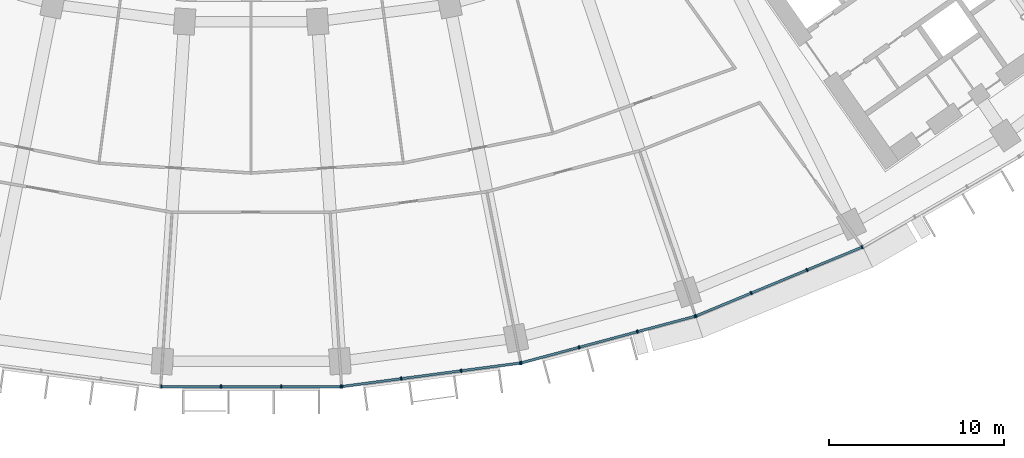
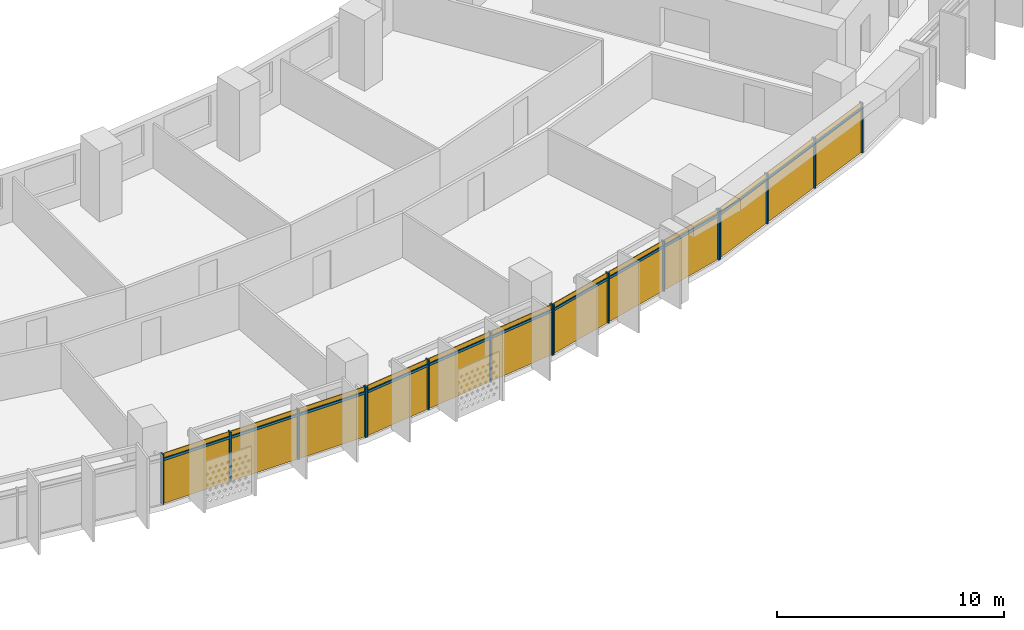
# One storey, part 20 of 28: 28 members, 4 curtain walls.
"""IFC4 building model written with IfcOpenShell, lengths in metres."""

from ifc_helpers import new_model, si_unit, direction, frame, origin, origin_2d, place, context, subcontext, project, spatial, rectangle, extrude, material, material_profile, profile_set, type_object, element, aggregate, save


model = new_model("IFC4")

# Units and contexts
model_context = context("Model", 3, precision=1e-05, world=origin(), true_north=direction((0.0, 1.0)))
body_context = subcontext(model_context, "Body", "Model", "MODEL_VIEW")
ifc_project = project(units=[si_unit("LENGTHUNIT", "METRE"), si_unit("AREAUNIT", "SQUARE_METRE"), si_unit("VOLUMEUNIT", "CUBIC_METRE"), si_unit("PLANEANGLEUNIT", "RADIAN"), si_unit("MASSUNIT", "GRAM", prefix="KILO")], contexts=[model_context])

# Member
ifc_material = material(Name="Aluminium 6063-T6 anodised", Category="aluminium")
ifc_material_profile_1 = material_profile(ifc_material, rectangle(XDim=0.199951171875, YDim=0.070068359375, at=origin_2d()))
ifc_profile_set_1 = profile_set([ifc_material_profile_1], Name="Aluminium 6063-T6 anodised")
member_type_1 = type_object("IfcMemberType", Name="Mullion 70 x 200 aluminium", PredefinedType="MULLION", material=ifc_profile_set_1)
site_placement = place(None, origin())
building_placement = place(site_placement, origin())
storey_placement = place(building_placement, frame((0.0, 0.0, 140.5)))
member_1_placement = place(storey_placement, frame((-5.1513671875, -79.0302734375, 0.0), z_axis=(0.0, 0.0, 1.0), x_axis=(0.0, 1.0, 0.0)))
member_1 = element("IfcMember", 1, at=member_1_placement, type_object=member_type_1, Name="e-cw1-L32-out09/M00", PredefinedType="MULLION", context=body_context, shape_type="SweptSolid", body=[
    extrude(rectangle(XDim=0.199951171875, YDim=0.070068359375, at=origin_2d()), origin(), (0.0, 0.0, 1.0), 2.699951171875),
])

member_2_placement = place(storey_placement, frame((-1.728759765625, -79.0302734375, 0.0), z_axis=(0.0, 0.0, 1.0), x_axis=(0.0, 1.0, 0.0)))
member_2 = element("IfcMember", 2, at=member_2_placement, type_object=member_type_1, Name="e-cw1-L32-out09/M01", PredefinedType="MULLION", context=body_context, shape_type="SweptSolid", body=[
    extrude(rectangle(XDim=0.199951171875, YDim=0.070068359375, at=origin_2d()), origin(), (0.0, 0.0, 1.0), 2.699951171875),
])

member_3_placement = place(storey_placement, frame((1.728759765625, -79.0302734375, 0.0), z_axis=(0.0, 0.0, 1.0), x_axis=(0.0, 1.0, 0.0)))
member_3 = element("IfcMember", 3, at=member_3_placement, type_object=member_type_1, Name="e-cw1-L32-out09/M02", PredefinedType="MULLION", context=body_context, shape_type="SweptSolid", body=[
    extrude(rectangle(XDim=0.199951171875, YDim=0.070068359375, at=origin_2d()), origin(), (0.0, 0.0, 1.0), 2.699951171875),
])

member_4_placement = place(storey_placement, frame((5.1513671875, -79.0302734375, 0.0), z_axis=(0.0, 0.0, 1.0), x_axis=(0.0, 1.0, 0.0)))
member_4 = element("IfcMember", 4, at=member_4_placement, type_object=member_type_1, Name="e-cw1-L32-out09/M03", PredefinedType="MULLION", context=body_context, shape_type="SweptSolid", body=[
    extrude(rectangle(XDim=0.199951171875, YDim=0.070068359375, at=origin_2d()), origin(), (0.0, 0.0, 1.0), 2.699951171875),
])

member_5_placement = place(storey_placement, frame((5.2080078125, -79.026611328125, 0.0), z_axis=(0.0, 0.0, 1.0), x_axis=(-0.13052619222, 0.991444861374, 0.0)))
member_5 = element("IfcMember", 5, at=member_5_placement, type_object=member_type_1, Name="e-cw1-L32-out10/M00", PredefinedType="MULLION", context=body_context, shape_type="SweptSolid", body=[
    extrude(rectangle(XDim=0.199951171875, YDim=0.070068359375, at=origin_2d()), origin(), (0.0, 0.0, 1.0), 2.699951171875),
])

member_6_placement = place(storey_placement, frame((8.6015625, -78.579833984375, 0.0), z_axis=(0.0, 0.0, 1.0), x_axis=(-0.13052619222, 0.991444861374, 0.0)))
member_6 = element("IfcMember", 6, at=member_6_placement, type_object=member_type_1, Name="e-cw1-L32-out10/M01", PredefinedType="MULLION", context=body_context, shape_type="SweptSolid", body=[
    extrude(rectangle(XDim=0.199951171875, YDim=0.070068359375, at=origin_2d()), origin(), (0.0, 0.0, 1.0), 2.699951171875),
])

member_7_placement = place(storey_placement, frame((12.029541015625, -78.12841796875, 0.0), z_axis=(0.0, 0.0, 1.0), x_axis=(-0.13052619222, 0.991444861374, 0.0)))
member_7 = element("IfcMember", 7, at=member_7_placement, type_object=member_type_1, Name="e-cw1-L32-out10/M02", PredefinedType="MULLION", context=body_context, shape_type="SweptSolid", body=[
    extrude(rectangle(XDim=0.199951171875, YDim=0.070068359375, at=origin_2d()), origin(), (0.0, 0.0, 1.0), 2.699951171875),
])

member_8_placement = place(storey_placement, frame((15.4228515625, -77.681640625, 0.0), z_axis=(0.0, 0.0, 1.0), x_axis=(-0.13052619222, 0.991444861374, 0.0)))
member_8 = element("IfcMember", 8, at=member_8_placement, type_object=member_type_1, Name="e-cw1-L32-out10/M03", PredefinedType="MULLION", context=body_context, shape_type="SweptSolid", body=[
    extrude(rectangle(XDim=0.199951171875, YDim=0.070068359375, at=origin_2d()), origin(), (0.0, 0.0, 1.0), 2.699951171875),
])

member_9_placement = place(storey_placement, frame((15.478515625, -77.670654296875, 0.0), z_axis=(0.0, 0.0, 1.0), x_axis=(-0.258819045103, 0.965925826289, 0.0)))
member_9 = element("IfcMember", 9, at=member_9_placement, type_object=member_type_1, Name="e-cw1-L32-out11/M00", PredefinedType="MULLION", context=body_context, shape_type="SweptSolid", body=[
    extrude(rectangle(XDim=0.199951171875, YDim=0.070068359375, at=origin_2d()), origin(), (0.0, 0.0, 1.0), 2.699951171875),
])

member_10_placement = place(storey_placement, frame((18.78466796875, -76.78466796875, 0.0), z_axis=(0.0, 0.0, 1.0), x_axis=(-0.258819045103, 0.965925826289, 0.0)))
member_10 = element("IfcMember", 10, at=member_10_placement, type_object=member_type_1, Name="e-cw1-L32-out11/M01", PredefinedType="MULLION", context=body_context, shape_type="SweptSolid", body=[
    extrude(rectangle(XDim=0.199951171875, YDim=0.070068359375, at=origin_2d()), origin(), (0.0, 0.0, 1.0), 2.699951171875),
])

member_11_placement = place(storey_placement, frame((22.12451171875, -75.889892578125, 0.0), z_axis=(0.0, 0.0, 1.0), x_axis=(-0.258819045103, 0.965925826289, 0.0)))
member_11 = element("IfcMember", 11, at=member_11_placement, type_object=member_type_1, Name="e-cw1-L32-out11/M02", PredefinedType="MULLION", context=body_context, shape_type="SweptSolid", body=[
    extrude(rectangle(XDim=0.199951171875, YDim=0.070068359375, at=origin_2d()), origin(), (0.0, 0.0, 1.0), 2.699951171875),
])

member_12_placement = place(storey_placement, frame((25.430419921875, -75.00390625, 0.0), z_axis=(0.0, 0.0, 1.0), x_axis=(-0.258819045103, 0.965925826289, 0.0)))
member_12 = element("IfcMember", 12, at=member_12_placement, type_object=member_type_1, Name="e-cw1-L32-out11/M03", PredefinedType="MULLION", context=body_context, shape_type="SweptSolid", body=[
    extrude(rectangle(XDim=0.199951171875, YDim=0.070068359375, at=origin_2d()), origin(), (0.0, 0.0, 1.0), 2.699951171875),
])

member_13_placement = place(storey_placement, frame((25.484130859375, -74.98583984375, 0.0), z_axis=(0.0, 0.0, 1.0), x_axis=(-0.382683432365, 0.923879532511, 0.0)))
member_13 = element("IfcMember", 13, at=member_13_placement, type_object=member_type_1, Name="e-cw1-L32-out12/M00", PredefinedType="MULLION", context=body_context, shape_type="SweptSolid", body=[
    extrude(rectangle(XDim=0.199951171875, YDim=0.070068359375, at=origin_2d()), origin(), (0.0, 0.0, 1.0), 2.699951171875),
])

member_14_placement = place(storey_placement, frame((28.646240234375, -73.676025390625, 0.0), z_axis=(0.0, 0.0, 1.0), x_axis=(-0.382683432365, 0.923879532511, 0.0)))
member_14 = element("IfcMember", 14, at=member_14_placement, type_object=member_type_1, Name="e-cw1-L32-out12/M01", PredefinedType="MULLION", context=body_context, shape_type="SweptSolid", body=[
    extrude(rectangle(XDim=0.199951171875, YDim=0.070068359375, at=origin_2d()), origin(), (0.0, 0.0, 1.0), 2.699951171875),
])

member_15_placement = place(storey_placement, frame((31.8408203125, -72.352783203125, 0.0), z_axis=(0.0, 0.0, 1.0), x_axis=(-0.382683432365, 0.923879532511, 0.0)))
member_15 = element("IfcMember", 15, at=member_15_placement, type_object=member_type_1, Name="e-cw1-L32-out12/M02", PredefinedType="MULLION", context=body_context, shape_type="SweptSolid", body=[
    extrude(rectangle(XDim=0.199951171875, YDim=0.070068359375, at=origin_2d()), origin(), (0.0, 0.0, 1.0), 2.699951171875),
])

member_16_placement = place(storey_placement, frame((35.0029296875, -71.04296875, 0.0), z_axis=(0.0, 0.0, 1.0), x_axis=(-0.382683432365, 0.923879532511, 0.0)))
member_16 = element("IfcMember", 16, at=member_16_placement, type_object=member_type_1, Name="e-cw1-L32-out12/M03", PredefinedType="MULLION", context=body_context, shape_type="SweptSolid", body=[
    extrude(rectangle(XDim=0.199951171875, YDim=0.070068359375, at=origin_2d()), origin(), (0.0, 0.0, 1.0), 2.699951171875),
])

ifc_material_profile_2 = material_profile(ifc_material, rectangle(XDim=0.139892578125, YDim=0.1201171875, at=origin_2d()))
ifc_profile_set_2 = profile_set([ifc_material_profile_2], Name="Aluminium 6063-T6 anodised")
member_type_2 = type_object("IfcMemberType", Name="Transom 120 x 140 aluminium", PredefinedType="USERDEFINED", material=ifc_profile_set_2)
member_17_placement = place(storey_placement, frame((-5.116455078125, -79.0302734375, 2.39990234375), z_axis=(1.0, 0.0, 0.0), x_axis=(0.0, 1.0, 0.0)))
member_17 = element("IfcMember", 17, at=member_17_placement, type_object=member_type_2, Name="e-cw1-L32-out09/T00", ObjectType="TRANSOM", PredefinedType="USERDEFINED", context=body_context, shape_type="SweptSolid", body=[
    extrude(rectangle(XDim=0.139892578125, YDim=0.1201171875, at=origin_2d()), origin(), (0.0, 0.0, 1.0), 3.3525390625),
])

member_18_placement = place(storey_placement, frame((-1.69384765625, -79.0302734375, 2.39990234375), z_axis=(1.0, 0.0, 0.0), x_axis=(0.0, 1.0, 0.0)))
member_18 = element("IfcMember", 18, at=member_18_placement, type_object=member_type_2, Name="e-cw1-L32-out09/T01", ObjectType="TRANSOM", PredefinedType="USERDEFINED", context=body_context, shape_type="SweptSolid", body=[
    extrude(rectangle(XDim=0.139892578125, YDim=0.1201171875, at=origin_2d()), origin(), (0.0, 0.0, 1.0), 3.3876953125),
])

member_19_placement = place(storey_placement, frame((1.763916015625, -79.0302734375, 2.39990234375), z_axis=(1.0, 0.0, 0.0), x_axis=(0.0, 1.0, 0.0)))
member_19 = element("IfcMember", 19, at=member_19_placement, type_object=member_type_2, Name="e-cw1-L32-out09/T02", ObjectType="TRANSOM", PredefinedType="USERDEFINED", context=body_context, shape_type="SweptSolid", body=[
    extrude(rectangle(XDim=0.139892578125, YDim=0.1201171875, at=origin_2d()), origin(), (0.0, 0.0, 1.0), 3.3525390625),
])

member_20_placement = place(storey_placement, frame((5.242919921875, -79.02197265625, 2.39990234375), z_axis=(0.991439665896, 0.130565649721, 0.0), x_axis=(-0.130565649721, 0.991439665896, 0.0)))
member_20 = element("IfcMember", 20, at=member_20_placement, type_object=member_type_2, Name="e-cw1-L32-out10/T00", ObjectType="TRANSOM", PredefinedType="USERDEFINED", context=body_context, shape_type="SweptSolid", body=[
    extrude(rectangle(XDim=0.139892578125, YDim=0.1201171875, at=origin_2d()), origin(), (0.0, 0.0, 1.0), 3.352783203125),
])

member_21_placement = place(storey_placement, frame((8.63623046875, -78.5751953125, 2.39990234375), z_axis=(0.991446198807, 0.130516033004, 0.0), x_axis=(-0.130516033004, 0.991446198807, 0.0)))
member_21 = element("IfcMember", 21, at=member_21_placement, type_object=member_type_2, Name="e-cw1-L32-out10/T01", ObjectType="TRANSOM", PredefinedType="USERDEFINED", context=body_context, shape_type="SweptSolid", body=[
    extrude(rectangle(XDim=0.139892578125, YDim=0.1201171875, at=origin_2d()), origin(), (0.0, 0.0, 1.0), 3.3876953125),
])

member_22_placement = place(storey_placement, frame((12.064208984375, -78.123779296875, 2.39990234375), z_axis=(0.991449089759, 0.130494070426, 0.0), x_axis=(-0.130494070426, 0.991449089759, 0.0)))
member_22 = element("IfcMember", 22, at=member_22_placement, type_object=member_type_2, Name="e-cw1-L32-out10/T02", ObjectType="TRANSOM", PredefinedType="USERDEFINED", context=body_context, shape_type="SweptSolid", body=[
    extrude(rectangle(XDim=0.139892578125, YDim=0.1201171875, at=origin_2d()), origin(), (0.0, 0.0, 1.0), 3.3525390625),
])

member_23_placement = place(storey_placement, frame((15.512451171875, -77.66162109375, 2.39990234375), z_axis=(0.965927247937, 0.258813739382, 0.0), x_axis=(-0.258813739382, 0.965927247937, 0.0)))
member_23 = element("IfcMember", 23, at=member_23_placement, type_object=member_type_2, Name="e-cw1-L32-out11/T00", ObjectType="TRANSOM", PredefinedType="USERDEFINED", context=body_context, shape_type="SweptSolid", body=[
    extrude(rectangle(XDim=0.139892578125, YDim=0.1201171875, at=origin_2d()), origin(), (0.0, 0.0, 1.0), 3.3525390625),
])

member_24_placement = place(storey_placement, frame((18.818359375, -76.775634765625, 2.39990234375), z_axis=(0.965931646033, 0.258797324547, 0.0), x_axis=(-0.258797324547, 0.965931646033, 0.0)))
member_24 = element("IfcMember", 24, at=member_24_placement, type_object=member_type_2, Name="e-cw1-L32-out11/T01", ObjectType="TRANSOM", PredefinedType="USERDEFINED", context=body_context, shape_type="SweptSolid", body=[
    extrude(rectangle(XDim=0.139892578125, YDim=0.1201171875, at=origin_2d()), origin(), (0.0, 0.0, 1.0), 3.3876953125),
])

member_25_placement = place(storey_placement, frame((22.158203125, -75.880859375, 2.39990234375), z_axis=(0.965932125453, 0.258795535157, 0.0), x_axis=(-0.258795535157, 0.965932125453, 0.0)))
member_25 = element("IfcMember", 25, at=member_25_placement, type_object=member_type_2, Name="e-cw1-L32-out11/T02", ObjectType="TRANSOM", PredefinedType="USERDEFINED", context=body_context, shape_type="SweptSolid", body=[
    extrude(rectangle(XDim=0.139892578125, YDim=0.1201171875, at=origin_2d()), origin(), (0.0, 0.0, 1.0), 3.352783203125),
])

member_26_placement = place(storey_placement, frame((25.5166015625, -74.972412109375, 2.39990234375), z_axis=(0.923882814237, 0.382675509483, 0.0), x_axis=(-0.382675509483, 0.923882814237, 0.0)))
member_26 = element("IfcMember", 26, at=member_26_placement, type_object=member_type_2, Name="e-cw1-L32-out12/T00", ObjectType="TRANSOM", PredefinedType="USERDEFINED", context=body_context, shape_type="SweptSolid", body=[
    extrude(rectangle(XDim=0.139892578125, YDim=0.1201171875, at=origin_2d()), origin(), (0.0, 0.0, 1.0), 3.3525390625),
])

member_27_placement = place(storey_placement, frame((28.6787109375, -73.66259765625, 2.39990234375), z_axis=(0.923874529423, 0.382695510666, 0.0), x_axis=(-0.382695510666, 0.923874529423, 0.0)))
member_27 = element("IfcMember", 27, at=member_27_placement, type_object=member_type_2, Name="e-cw1-L32-out12/T01", ObjectType="TRANSOM", PredefinedType="USERDEFINED", context=body_context, shape_type="SweptSolid", body=[
    extrude(rectangle(XDim=0.139892578125, YDim=0.1201171875, at=origin_2d()), origin(), (0.0, 0.0, 1.0), 3.387451171875),
])

member_28_placement = place(storey_placement, frame((31.873046875, -72.33935546875, 2.39990234375), z_axis=(0.923882814237, 0.382675509483, 0.0), x_axis=(-0.382675509483, 0.923882814237, 0.0)))
member_28 = element("IfcMember", 28, at=member_28_placement, type_object=member_type_2, Name="e-cw1-L32-out12/T02", ObjectType="TRANSOM", PredefinedType="USERDEFINED", context=body_context, shape_type="SweptSolid", body=[
    extrude(rectangle(XDim=0.139892578125, YDim=0.1201171875, at=origin_2d()), origin(), (0.0, 0.0, 1.0), 3.3525390625),
])

# Site, building, storey
site = spatial("IfcSite", under=ifc_project, at=site_placement, CompositionType="ELEMENT")
building = spatial("IfcBuilding", under=site, at=building_placement, Name="Qamariyya Broadcast Tower", CompositionType="ELEMENT")
storey = spatial("IfcBuildingStorey", under=building, at=storey_placement, Name="L32", CompositionType="ELEMENT", Elevation=140.5)

# Curtain wall
curtain_wall_type = type_object("IfcCurtainWallType", Name="Unitised curtain wall, anodised aluminium", PredefinedType="NOTDEFINED", material=ifc_material)
curtain_wall_1_placement = place(storey_placement, origin())
curtain_wall_1 = element("IfcCurtainWall", 29, at=curtain_wall_1_placement, inside=storey, type_object=curtain_wall_type, Name="e-cw1-L32-out09", PredefinedType="NOTDEFINED", context=body_context, shape_type="SweptSolid", body=[
    extrude(rectangle(XDim=3.352783203125, YDim=0.031982421875, at=origin_2d()), frame((-3.440185546875, -79.0302734375, 0.0), x_axis=(1.0, 0.0, 0.0)), (0.0, 0.0, 1.0), 2.340087890625),
    extrude(rectangle(XDim=3.352783203125, YDim=0.031982421875, at=origin_2d()), frame((-3.440185546875, -79.0302734375, 2.4599609375), x_axis=(1.0, 0.0, 0.0)), (0.0, 0.0, 1.0), 0.239990234375),
    extrude(rectangle(XDim=3.3876953125, YDim=0.031982421875, at=origin_2d()), frame((0.0, -79.0302734375, 0.0), x_axis=(1.0, 0.0, 0.0)), (0.0, 0.0, 1.0), 2.340087890625),
    extrude(rectangle(XDim=3.3876953125, YDim=0.031982421875, at=origin_2d()), frame((0.0, -79.0302734375, 2.4599609375), x_axis=(1.0, 0.0, 0.0)), (0.0, 0.0, 1.0), 0.239990234375),
    extrude(rectangle(XDim=3.352783203125, YDim=0.031982421875, at=origin_2d()), frame((3.440185546875, -79.0302734375, 0.0), x_axis=(1.0, 0.0, 0.0)), (0.0, 0.0, 1.0), 2.340087890625),
    extrude(rectangle(XDim=3.352783203125, YDim=0.031982421875, at=origin_2d()), frame((3.440185546875, -79.0302734375, 2.4599609375), x_axis=(1.0, 0.0, 0.0)), (0.0, 0.0, 1.0), 0.239990234375),
])

aggregate(curtain_wall_1, [member_1, member_2, member_3, member_4, member_17, member_18, member_19])

curtain_wall_2_placement = place(storey_placement, origin())
curtain_wall_2 = element("IfcCurtainWall", 30, at=curtain_wall_2_placement, inside=storey, type_object=curtain_wall_type, Name="e-cw1-L32-out10", PredefinedType="NOTDEFINED", context=body_context, shape_type="SweptSolid", body=[
    extrude(rectangle(XDim=3.3525390625, YDim=0.031982421875, at=origin_2d()), frame((6.90478515625, -78.802978515625, 0.0), x_axis=(0.991447084105, 0.13050930779, 0.0)), (0.0, 0.0, 1.0), 2.340087890625),
    extrude(rectangle(XDim=3.3525390625, YDim=0.031982421875, at=origin_2d()), frame((6.90478515625, -78.802978515625, 2.4599609375), x_axis=(0.991447084105, 0.13050930779, 0.0)), (0.0, 0.0, 1.0), 0.239990234375),
    extrude(rectangle(XDim=3.3876953125, YDim=0.031982421875, at=origin_2d()), frame((10.3154296875, -78.35400390625, 0.0), x_axis=(0.991447084105, 0.13050930779, 0.0)), (0.0, 0.0, 1.0), 2.340087890625),
    extrude(rectangle(XDim=3.3876953125, YDim=0.031982421875, at=origin_2d()), frame((10.3154296875, -78.35400390625, 2.4599609375), x_axis=(0.991447084105, 0.13050930779, 0.0)), (0.0, 0.0, 1.0), 0.239990234375),
    extrude(rectangle(XDim=3.3525390625, YDim=0.031982421875, at=origin_2d()), frame((13.72607421875, -77.9052734375, 0.0), x_axis=(0.991447084105, 0.13050930779, 0.0)), (0.0, 0.0, 1.0), 2.340087890625),
    extrude(rectangle(XDim=3.3525390625, YDim=0.031982421875, at=origin_2d()), frame((13.72607421875, -77.9052734375, 2.4599609375), x_axis=(0.991447084105, 0.13050930779, 0.0)), (0.0, 0.0, 1.0), 0.239990234375),
])

aggregate(curtain_wall_2, [member_5, member_6, member_7, member_8, member_20, member_21, member_22])

curtain_wall_3_placement = place(storey_placement, origin())
curtain_wall_3 = element("IfcCurtainWall", 31, at=curtain_wall_3_placement, inside=storey, type_object=curtain_wall_type, Name="e-cw1-L32-out11", PredefinedType="NOTDEFINED", context=body_context, shape_type="SweptSolid", body=[
    extrude(rectangle(XDim=3.352783203125, YDim=0.031982421875, at=origin_2d()), frame((17.131591796875, -77.227783203125, 0.0), x_axis=(0.965923677743, 0.258827063454, 0.0)), (0.0, 0.0, 1.0), 2.340087890625),
    extrude(rectangle(XDim=3.352783203125, YDim=0.031982421875, at=origin_2d()), frame((17.131591796875, -77.227783203125, 2.4599609375), x_axis=(0.965923677743, 0.258827063454, 0.0)), (0.0, 0.0, 1.0), 0.239990234375),
    extrude(rectangle(XDim=3.3876953125, YDim=0.031982421875, at=origin_2d()), frame((20.45458984375, -76.33740234375, 0.0), x_axis=(0.965923677743, 0.258827063454, 0.0)), (0.0, 0.0, 1.0), 2.340087890625),
    extrude(rectangle(XDim=3.3876953125, YDim=0.031982421875, at=origin_2d()), frame((20.45458984375, -76.33740234375, 2.4599609375), x_axis=(0.965923677743, 0.258827063454, 0.0)), (0.0, 0.0, 1.0), 0.239990234375),
    extrude(rectangle(XDim=3.352783203125, YDim=0.031982421875, at=origin_2d()), frame((23.777587890625, -75.44677734375, 0.0), x_axis=(0.965923677743, 0.258827063454, 0.0)), (0.0, 0.0, 1.0), 2.340087890625),
    extrude(rectangle(XDim=3.352783203125, YDim=0.031982421875, at=origin_2d()), frame((23.777587890625, -75.44677734375, 2.4599609375), x_axis=(0.965923677743, 0.258827063454, 0.0)), (0.0, 0.0, 1.0), 0.239990234375),
])

aggregate(curtain_wall_3, [member_9, member_10, member_11, member_12, member_23, member_24, member_25])

curtain_wall_4_placement = place(storey_placement, origin())
curtain_wall_4 = element("IfcCurtainWall", 32, at=curtain_wall_4_placement, inside=storey, type_object=curtain_wall_type, Name="e-cw1-L32-out12", PredefinedType="NOTDEFINED", context=body_context, shape_type="SweptSolid", body=[
    extrude(rectangle(XDim=3.3525390625, YDim=0.031982421875, at=origin_2d()), frame((27.065185546875, -74.3310546875, 0.0), x_axis=(0.923872250857, 0.382701011361, 0.0)), (0.0, 0.0, 1.0), 2.340087890625),
    extrude(rectangle(XDim=3.3525390625, YDim=0.031982421875, at=origin_2d()), frame((27.065185546875, -74.3310546875, 2.4599609375), x_axis=(0.923872250857, 0.382701011361, 0.0)), (0.0, 0.0, 1.0), 0.239990234375),
    extrude(rectangle(XDim=3.3876953125, YDim=0.031982421875, at=origin_2d()), frame((30.24365234375, -73.014404296875, 0.0), x_axis=(0.923872250857, 0.382701011361, 0.0)), (0.0, 0.0, 1.0), 2.340087890625),
    extrude(rectangle(XDim=3.3876953125, YDim=0.031982421875, at=origin_2d()), frame((30.24365234375, -73.014404296875, 2.4599609375), x_axis=(0.923872250857, 0.382701011361, 0.0)), (0.0, 0.0, 1.0), 0.239990234375),
    extrude(rectangle(XDim=3.3525390625, YDim=0.031982421875, at=origin_2d()), frame((33.421875, -71.69775390625, 0.0), x_axis=(0.923872250857, 0.382701011361, 0.0)), (0.0, 0.0, 1.0), 2.340087890625),
    extrude(rectangle(XDim=3.3525390625, YDim=0.031982421875, at=origin_2d()), frame((33.421875, -71.69775390625, 2.4599609375), x_axis=(0.923872250857, 0.382701011361, 0.0)), (0.0, 0.0, 1.0), 0.239990234375),
])

aggregate(curtain_wall_4, [member_13, member_14, member_15, member_16, member_26, member_27, member_28])

save(model, "model.ifc")
